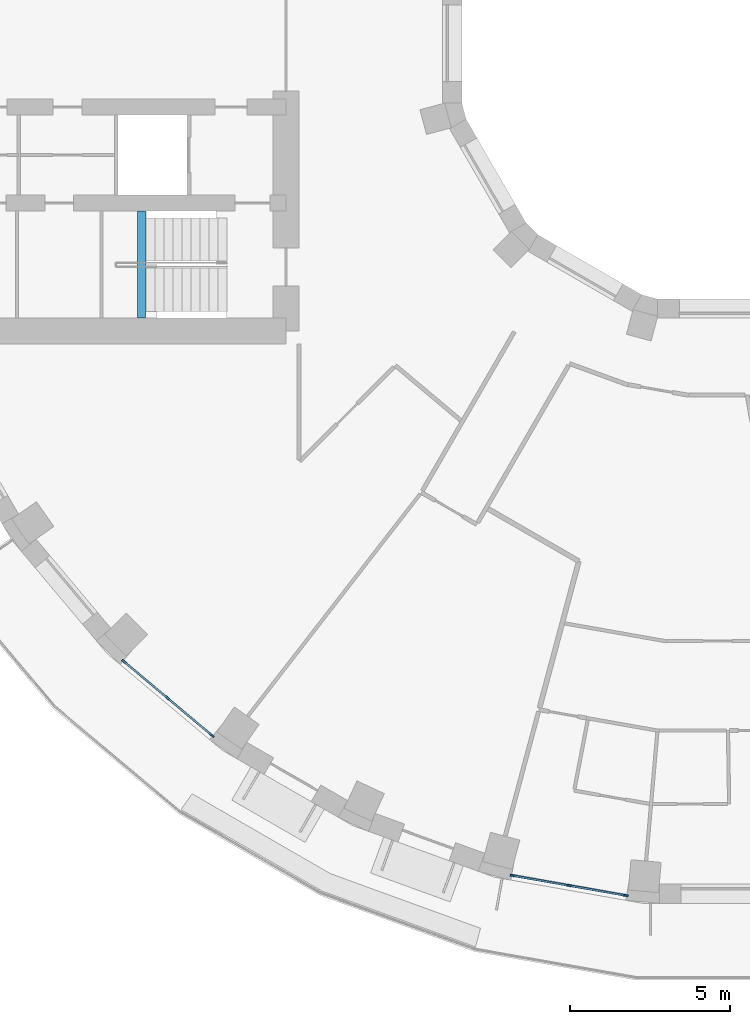
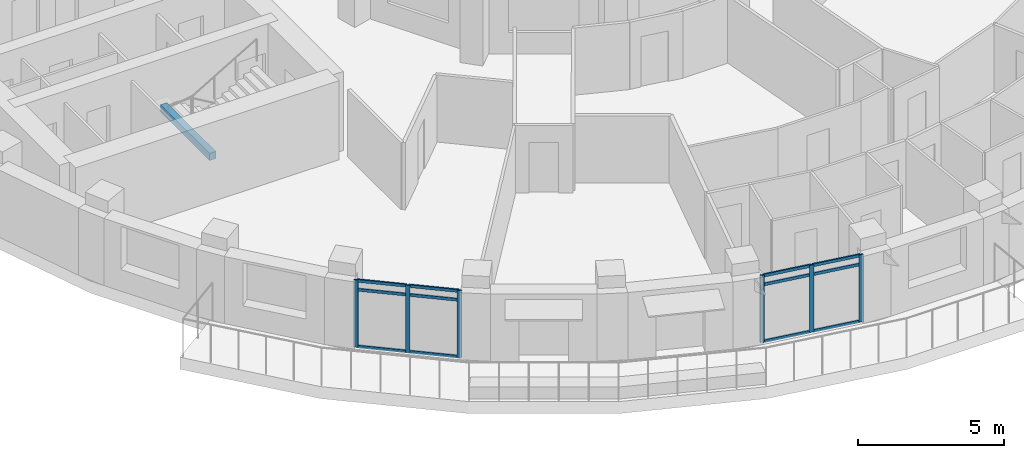
# One storey, part 2 of 14: 18 members, 1 beam, 2 elements without a shape of their own.
"""IFC4 building model written with IfcOpenShell, lengths in metres."""

from ifc_helpers import new_model, si_unit, direction, frame, origin, origin_2d, place, context, subcontext, project, spatial, rectangle, extrude, material, layer, layer_set, material_profile, profile_set, type_object, element, aggregate, save


model = new_model("IFC4")

# Units and contexts
model_context = context("Model", 3, precision=1e-05, world=origin(), true_north=direction((0.0, 1.0)))
body_context = subcontext(model_context, "Body", "Model", "MODEL_VIEW")
ifc_project = project(units=[si_unit("LENGTHUNIT", "METRE"), si_unit("AREAUNIT", "SQUARE_METRE"), si_unit("VOLUMEUNIT", "CUBIC_METRE"), si_unit("PLANEANGLEUNIT", "RADIAN"), si_unit("MASSUNIT", "GRAM", prefix="KILO")], contexts=[model_context])

# Site, building, storey
site_placement = place(None, origin())
site = spatial("IfcSite", under=ifc_project, at=site_placement, CompositionType="ELEMENT")
building_placement = place(site_placement, origin())
building = spatial("IfcBuilding", under=site, at=building_placement, Name="Saqina Gate Tower", CompositionType="ELEMENT")
storey_placement = place(building_placement, frame((0.0, 0.0, 138.10009765625)))
storey = spatial("IfcBuildingStorey", under=building, at=storey_placement, Name="L39", CompositionType="ELEMENT", Elevation=138.10009765625)

# Curtain wall, members
ifc_material_1 = material(Name="Aluminium glazing", Category="aluminium")
ifc_layer = layer(ifc_material_1, 0.159912109375)
ifc_layer_set = layer_set([ifc_layer], Name="CWT-4")
curtain_wall_type = type_object("IfcCurtainWallType", Name="CWT-4", PredefinedType="NOTDEFINED", material=ifc_layer_set)
curtain_wall_1_placement = place(storey_placement, origin())
curtain_wall_1 = element("IfcCurtainWall", 1, at=curtain_wall_1_placement, inside=storey, type_object=curtain_wall_type, Name="Terrace lounge glazing facet 23", PredefinedType="NOTDEFINED")
ifc_material_2 = material(Name="Aluminium", Category="aluminium")
ifc_material_profile_1 = material_profile(ifc_material_2, rectangle(XDim=0.06005859375, YDim=0.159912109375, at=origin_2d()), Name="Aluminium 60x160")
ifc_profile_set_1 = profile_set([ifc_material_profile_1], Name="Aluminium")
member_type_1 = type_object("IfcMemberType", Name="CWT-4M", PredefinedType="MULLION", material=ifc_profile_set_1)
member_1_placement = place(storey_placement, frame((-18.567138671875, -19.33642578125, 0.0), z_axis=(0.0, 0.0, 1.0), x_axis=(0.642790825553, 0.766041744675, 0.0)))
member_1 = element("IfcMember", 2, at=member_1_placement, type_object=member_type_1, Name="CW4-23 mullion 1", PredefinedType="MULLION", context=body_context, shape_type="SweptSolid", body=[
    extrude(rectangle(XDim=0.06005859375, YDim=0.159912109375, at=origin_2d()), origin(), (0.0, 0.0, 1.0), 2.7998046875),
])
member_2_placement = place(storey_placement, frame((-17.19287109375, -20.489501953125, 0.0), z_axis=(0.0, 0.0, 1.0), x_axis=(0.642790825553, 0.766041744675, 0.0)))
member_2 = element("IfcMember", 3, at=member_2_placement, type_object=member_type_1, Name="CW4-23 mullion 2", PredefinedType="MULLION", context=body_context, shape_type="SweptSolid", body=[
    extrude(rectangle(XDim=0.06005859375, YDim=0.159912109375, at=origin_2d()), origin(), (0.0, 0.0, 1.0), 2.7998046875),
])
member_3_placement = place(storey_placement, frame((-15.818603515625, -21.642822265625, 0.0), z_axis=(0.0, 0.0, 1.0), x_axis=(0.642790825553, 0.766041744675, 0.0)))
member_3 = element("IfcMember", 4, at=member_3_placement, type_object=member_type_1, Name="CW4-23 mullion 3", PredefinedType="MULLION", context=body_context, shape_type="SweptSolid", body=[
    extrude(rectangle(XDim=0.06005859375, YDim=0.159912109375, at=origin_2d()), origin(), (0.0, 0.0, 1.0), 2.7998046875),
])

curtain_wall_2_placement = place(storey_placement, origin())
curtain_wall_2 = element("IfcCurtainWall", 5, at=curtain_wall_2_placement, inside=storey, type_object=curtain_wall_type, Name="Terrace lounge glazing facet 26", PredefinedType="NOTDEFINED")
member_4_placement = place(storey_placement, frame((-6.411376953125, -26.029296875, 0.0), z_axis=(0.0, 0.0, 1.0), x_axis=(0.17363832834, 0.984809489664, 0.0)))
member_4 = element("IfcMember", 6, at=member_4_placement, type_object=member_type_1, Name="CW4-26 mullion 1", PredefinedType="MULLION", context=body_context, shape_type="SweptSolid", body=[
    extrude(rectangle(XDim=0.06005859375, YDim=0.159912109375, at=origin_2d()), origin(), (0.0, 0.0, 1.0), 2.7998046875),
])
member_5_placement = place(storey_placement, frame((-4.64453125, -26.3408203125, 0.0), z_axis=(0.0, 0.0, 1.0), x_axis=(0.17363832834, 0.984809489664, 0.0)))
member_5 = element("IfcMember", 7, at=member_5_placement, type_object=member_type_1, Name="CW4-26 mullion 2", PredefinedType="MULLION", context=body_context, shape_type="SweptSolid", body=[
    extrude(rectangle(XDim=0.06005859375, YDim=0.159912109375, at=origin_2d()), origin(), (0.0, 0.0, 1.0), 2.7998046875),
])
member_6_placement = place(storey_placement, frame((-2.8779296875, -26.65234375, 0.0), z_axis=(0.0, 0.0, 1.0), x_axis=(0.17363832834, 0.984809489664, 0.0)))
member_6 = element("IfcMember", 8, at=member_6_placement, type_object=member_type_1, Name="CW4-26 mullion 3", PredefinedType="MULLION", context=body_context, shape_type="SweptSolid", body=[
    extrude(rectangle(XDim=0.06005859375, YDim=0.159912109375, at=origin_2d()), origin(), (0.0, 0.0, 1.0), 2.7998046875),
])

# Member
ifc_material_3 = material(Name="Aluminium", Category="aluminium")
ifc_material_profile_2 = material_profile(ifc_material_3, rectangle(XDim=0.06005859375, YDim=0.1201171875, at=origin_2d()), Name="Aluminium 60x120")
ifc_profile_set_2 = profile_set([ifc_material_profile_2], Name="Aluminium")
member_type_2 = type_object("IfcMemberType", Name="CWT-4T", PredefinedType="USERDEFINED", material=ifc_profile_set_2)
member_7_placement = place(storey_placement, frame((-18.5439453125, -19.355712890625, 0.02978515625), z_axis=(0.766023779865, -0.64281223439, 0.0), x_axis=(0.64281223439, 0.766023779865, 0.0)))
member_7 = element("IfcMember", 9, at=member_7_placement, type_object=member_type_2, Name="CW4-23 transom 1.1", ObjectType="TRANSOM", PredefinedType="USERDEFINED", context=body_context, shape_type="SweptSolid", body=[
    extrude(rectangle(XDim=0.06005859375, YDim=0.1201171875, at=origin_2d()), origin(), (0.0, 0.0, 1.0), 1.73388671875),
])

member_8_placement = place(storey_placement, frame((-18.5439453125, -19.355712890625, 2.39990234375), z_axis=(0.766023779865, -0.64281223439, 0.0), x_axis=(0.64281223439, 0.766023779865, 0.0)))
member_8 = element("IfcMember", 10, at=member_8_placement, type_object=member_type_2, Name="CW4-23 transom 1.2", ObjectType="TRANSOM", PredefinedType="USERDEFINED", context=body_context, shape_type="SweptSolid", body=[
    extrude(rectangle(XDim=0.06005859375, YDim=0.1201171875, at=origin_2d()), origin(), (0.0, 0.0, 1.0), 1.73388671875),
])

member_9_placement = place(storey_placement, frame((-18.5439453125, -19.355712890625, 2.77001953125), z_axis=(0.766023779865, -0.64281223439, 0.0), x_axis=(0.64281223439, 0.766023779865, 0.0)))
member_9 = element("IfcMember", 11, at=member_9_placement, type_object=member_type_2, Name="CW4-23 transom 1.3", ObjectType="TRANSOM", PredefinedType="USERDEFINED", context=body_context, shape_type="SweptSolid", body=[
    extrude(rectangle(XDim=0.06005859375, YDim=0.1201171875, at=origin_2d()), origin(), (0.0, 0.0, 1.0), 1.73388671875),
])

member_10_placement = place(storey_placement, frame((-17.169921875, -20.5087890625, 0.02978515625), z_axis=(0.766012629291, -0.642825522025, 0.0), x_axis=(0.642825522025, 0.766012629291, 0.0)))
member_10 = element("IfcMember", 12, at=member_10_placement, type_object=member_type_2, Name="CW4-23 transom 2.1", ObjectType="TRANSOM", PredefinedType="USERDEFINED", context=body_context, shape_type="SweptSolid", body=[
    extrude(rectangle(XDim=0.06005859375, YDim=0.1201171875, at=origin_2d()), origin(), (0.0, 0.0, 1.0), 1.734130859375),
])

member_11_placement = place(storey_placement, frame((-17.169921875, -20.5087890625, 2.39990234375), z_axis=(0.766012629291, -0.642825522025, 0.0), x_axis=(0.642825522025, 0.766012629291, 0.0)))
member_11 = element("IfcMember", 13, at=member_11_placement, type_object=member_type_2, Name="CW4-23 transom 2.2", ObjectType="TRANSOM", PredefinedType="USERDEFINED", context=body_context, shape_type="SweptSolid", body=[
    extrude(rectangle(XDim=0.06005859375, YDim=0.1201171875, at=origin_2d()), origin(), (0.0, 0.0, 1.0), 1.734130859375),
])

member_12_placement = place(storey_placement, frame((-17.169921875, -20.5087890625, 2.77001953125), z_axis=(0.766012629291, -0.642825522025, 0.0), x_axis=(0.642825522025, 0.766012629291, 0.0)))
member_12 = element("IfcMember", 14, at=member_12_placement, type_object=member_type_2, Name="CW4-23 transom 2.3", ObjectType="TRANSOM", PredefinedType="USERDEFINED", context=body_context, shape_type="SweptSolid", body=[
    extrude(rectangle(XDim=0.06005859375, YDim=0.1201171875, at=origin_2d()), origin(), (0.0, 0.0, 1.0), 1.734130859375),
])

aggregate(curtain_wall_1, [member_1, member_2, member_3, member_7, member_8, member_9, member_10, member_11, member_12])

member_13_placement = place(storey_placement, frame((-6.381591796875, -26.03466796875, 0.02978515625), z_axis=(0.98481331257, -0.173616644895, 0.0), x_axis=(0.173616644895, 0.98481331257, 0.0)))
member_13 = element("IfcMember", 15, at=member_13_placement, type_object=member_type_2, Name="CW4-26 transom 1.1", ObjectType="TRANSOM", PredefinedType="USERDEFINED", context=body_context, shape_type="SweptSolid", body=[
    extrude(rectangle(XDim=0.06005859375, YDim=0.1201171875, at=origin_2d()), origin(), (0.0, 0.0, 1.0), 1.73388671875),
])

member_14_placement = place(storey_placement, frame((-6.381591796875, -26.03466796875, 2.39990234375), z_axis=(0.98481331257, -0.173616644895, 0.0), x_axis=(0.173616644895, 0.98481331257, 0.0)))
member_14 = element("IfcMember", 16, at=member_14_placement, type_object=member_type_2, Name="CW4-26 transom 1.2", ObjectType="TRANSOM", PredefinedType="USERDEFINED", context=body_context, shape_type="SweptSolid", body=[
    extrude(rectangle(XDim=0.06005859375, YDim=0.1201171875, at=origin_2d()), origin(), (0.0, 0.0, 1.0), 1.73388671875),
])

member_15_placement = place(storey_placement, frame((-6.381591796875, -26.03466796875, 2.77001953125), z_axis=(0.98481331257, -0.173616644895, 0.0), x_axis=(0.173616644895, 0.98481331257, 0.0)))
member_15 = element("IfcMember", 17, at=member_15_placement, type_object=member_type_2, Name="CW4-26 transom 1.3", ObjectType="TRANSOM", PredefinedType="USERDEFINED", context=body_context, shape_type="SweptSolid", body=[
    extrude(rectangle(XDim=0.06005859375, YDim=0.1201171875, at=origin_2d()), origin(), (0.0, 0.0, 1.0), 1.73388671875),
])

member_16_placement = place(storey_placement, frame((-4.614990234375, -26.34619140625, 0.02978515625), z_axis=(0.98481331257, -0.173616644895, 0.0), x_axis=(0.173616644895, 0.98481331257, 0.0)))
member_16 = element("IfcMember", 18, at=member_16_placement, type_object=member_type_2, Name="CW4-26 transom 2.1", ObjectType="TRANSOM", PredefinedType="USERDEFINED", context=body_context, shape_type="SweptSolid", body=[
    extrude(rectangle(XDim=0.06005859375, YDim=0.1201171875, at=origin_2d()), origin(), (0.0, 0.0, 1.0), 1.73388671875),
])

member_17_placement = place(storey_placement, frame((-4.614990234375, -26.34619140625, 2.39990234375), z_axis=(0.98481331257, -0.173616644895, 0.0), x_axis=(0.173616644895, 0.98481331257, 0.0)))
member_17 = element("IfcMember", 19, at=member_17_placement, type_object=member_type_2, Name="CW4-26 transom 2.2", ObjectType="TRANSOM", PredefinedType="USERDEFINED", context=body_context, shape_type="SweptSolid", body=[
    extrude(rectangle(XDim=0.06005859375, YDim=0.1201171875, at=origin_2d()), origin(), (0.0, 0.0, 1.0), 1.73388671875),
])

member_18_placement = place(storey_placement, frame((-4.614990234375, -26.34619140625, 2.77001953125), z_axis=(0.98481331257, -0.173616644895, 0.0), x_axis=(0.173616644895, 0.98481331257, 0.0)))
member_18 = element("IfcMember", 20, at=member_18_placement, type_object=member_type_2, Name="CW4-26 transom 2.3", ObjectType="TRANSOM", PredefinedType="USERDEFINED", context=body_context, shape_type="SweptSolid", body=[
    extrude(rectangle(XDim=0.06005859375, YDim=0.1201171875, at=origin_2d()), origin(), (0.0, 0.0, 1.0), 1.73388671875),
])

aggregate(curtain_wall_2, [member_4, member_5, member_6, member_13, member_14, member_15, member_16, member_17, member_18])

# Beam
ifc_material_4 = material(Name="Concrete C40/50", Category="concrete")
ifc_material_profile_3 = material_profile(ifc_material_4, rectangle(XDim=0.25, YDim=0.300048828125, at=origin_2d()), Name="STAIR LANDING BEAM")
ifc_profile_set_3 = profile_set([ifc_material_profile_3], Name="Concrete C40/50")
beam_type = type_object("IfcBeamType", Name="STAIR LANDING BEAM", PredefinedType="BEAM", material=ifc_profile_set_3)
beam_placement = place(storey_placement, frame((-18.02001953125, -8.60009765625, 1.25), z_axis=(0.0, 1.0, 0.0), x_axis=(-1.0, 0.0, 0.0)))
element("IfcBeam", 21, at=beam_placement, inside=storey, type_object=beam_type, Name="EXIT STAIR 4 LANDING BEAM", PredefinedType="BEAM", context=body_context, shape_type="SweptSolid", body=[
    extrude(rectangle(XDim=0.25, YDim=0.300048828125, at=origin_2d()), origin(), (0.0, 0.0, 1.0), 3.35009765625),
])

save(model, "model.ifc")
